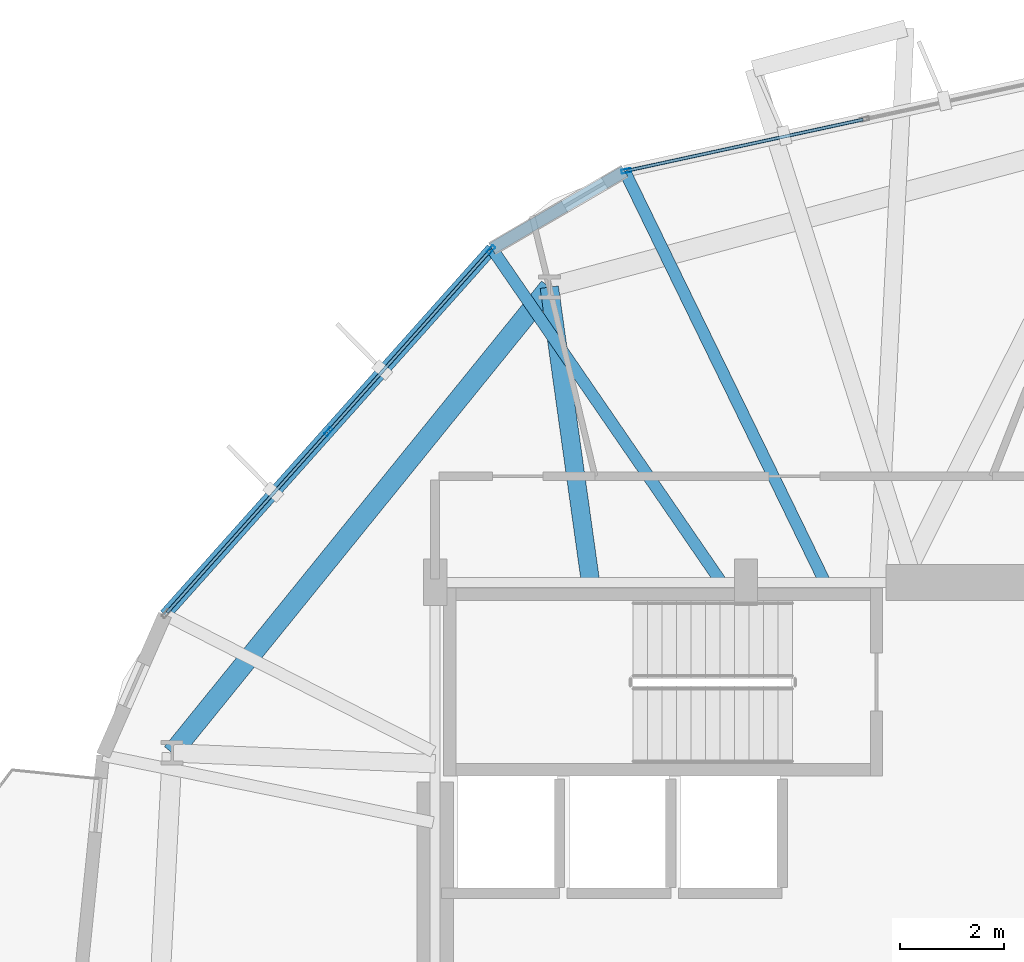
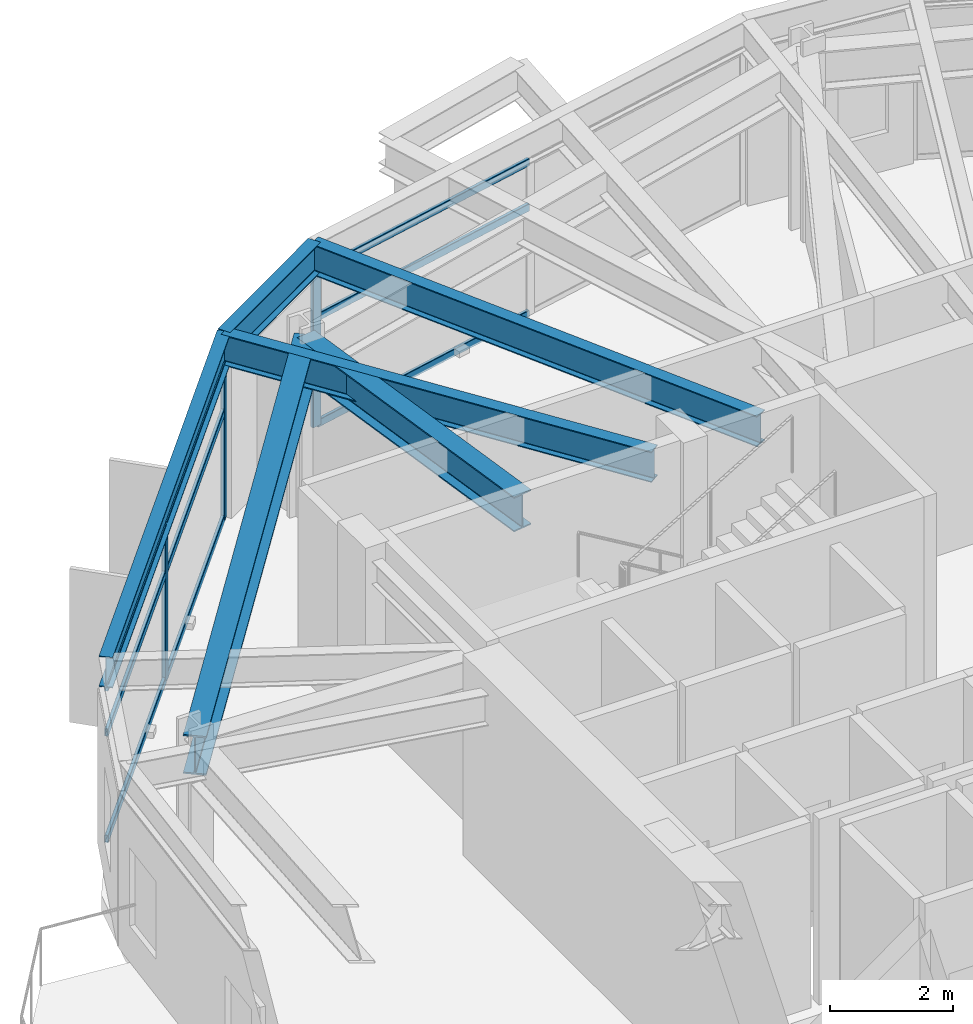
# One storey, part 11 of 22: 12 members, 6 beams, 2 elements without a shape of their own.
"""IFC4 building model written with IfcOpenShell, lengths in metres."""

from ifc_helpers import new_model, si_unit, direction, frame, origin, origin_2d, place, context, subcontext, project, spatial, hollow_rectangle, i_section, extrude, material, layer, layer_set, material_profile, profile_set, type_object, element, aggregate, save


model = new_model("IFC4")

# Units and contexts
model_context = context("Model", 3, precision=1e-05, world=origin(), true_north=direction((0.0, 1.0)))
body_context = subcontext(model_context, "Body", "Model", "MODEL_VIEW")
ifc_project = project(units=[si_unit("LENGTHUNIT", "METRE"), si_unit("AREAUNIT", "SQUARE_METRE"), si_unit("VOLUMEUNIT", "CUBIC_METRE"), si_unit("PLANEANGLEUNIT", "RADIAN"), si_unit("MASSUNIT", "GRAM", prefix="KILO")], contexts=[model_context])

# Site, building, storey
site_placement = place(None, origin())
site = spatial("IfcSite", under=ifc_project, at=site_placement, CompositionType="ELEMENT")
building_placement = place(site_placement, origin())
building = spatial("IfcBuilding", under=site, at=building_placement, Name="Soratama Intermodal Tower", CompositionType="ELEMENT")
storey_placement = place(building_placement, frame((0.0, 0.0, 74.60009765625)))
storey = spatial("IfcBuildingStorey", under=building, at=storey_placement, Name="L17", CompositionType="ELEMENT", Elevation=74.60009765625)

# Beams
ifc_material_1 = material(Name="Structural steel ASTM A992 Grade 50", Category="steel")
ifc_material_profile_1 = material_profile(ifc_material_1, i_section(OverallWidth=0.35498046875, OverallDepth=0.695068359375, WebThickness=0.015380859375, FlangeThickness=0.02490234375, FilletRadius=0.01611328125, at=origin_2d()), Name="W27X146")
ifc_profile_set_1 = profile_set([ifc_material_profile_1], Name="Structural steel ASTM A992 Grade 50")
beam_type_1 = type_object("IfcBeamType", Name="BM-RING-W27X146", PredefinedType="BEAM", material=ifc_profile_set_1)
beam_1_placement = place(storey_placement, frame((35.60009765625, 35.0, 3.352294921875), z_axis=(-0.138332473065, 0.990385847484, 0.0), x_axis=(-0.990385847484, -0.138332473065, 0.0)))
element("IfcBeam", 1, at=beam_1_placement, inside=storey, type_object=beam_type_1, Name="BM-L17-RAD-04", PredefinedType="BEAM", context=body_context, shape_type="SweptSolid", body=[
    extrude(i_section(OverallWidth=0.35498046875, OverallDepth=0.695068359375, WebThickness=0.015380859375, FlangeThickness=0.02490234375, FilletRadius=0.01611328125, at=origin_2d()), origin(), (0.0, 0.0, 1.0), 5.75537109375),
])
ifc_material_2 = material(Name="Structural steel ASTM A992 Grade 50", Category="steel")
ifc_material_profile_2 = material_profile(ifc_material_2, i_section(OverallWidth=0.382080078125, OverallDepth=0.779052734375, WebThickness=0.01806640625, FlangeThickness=0.030029296875, FilletRadius=0.01806640625, at=origin_2d()), Name="W30X191")
ifc_profile_set_2 = profile_set([ifc_material_profile_2], Name="Structural steel ASTM A992 Grade 50")
beam_type_2 = type_object("IfcBeamType", Name="BM-RING-W30X191", PredefinedType="BEAM", material=ifc_profile_set_2)
beam_2_placement = place(storey_placement, frame((34.803955078125, 40.699951171875, 3.310302734375), z_axis=(-0.629334198857, -0.777134779912, 0.0), x_axis=(0.777134779912, -0.629334198857, 0.0)))
element("IfcBeam", 2, at=beam_2_placement, inside=storey, type_object=beam_type_2, Name="BM-L17-RING-04", PredefinedType="BEAM", context=body_context, shape_type="SweptSolid", body=[
    extrude(i_section(OverallWidth=0.382080078125, OverallDepth=0.779052734375, WebThickness=0.01806640625, FlangeThickness=0.030029296875, FilletRadius=0.01806640625, at=origin_2d()), origin(), (0.0, 0.0, 1.0), 11.5693359375),
])
ifc_material_3 = material(Name="Structural steel ASTM A992 Grade 50", Category="steel")
ifc_material_profile_3 = material_profile(ifc_material_3, i_section(OverallWidth=0.22900390625, OverallDepth=0.612060546875, WebThickness=0.011962890625, FlangeThickness=0.01953125, FilletRadius=0.012939453125, at=origin_2d()), Name="W24X84")
ifc_profile_set_3 = profile_set([ifc_material_profile_3], Name="Structural steel ASTM A992 Grade 50")
beam_type_3 = type_object("IfcBeamType", Name="BM-SPN-W24X84", PredefinedType="SPANDREL", material=ifc_profile_set_3)
beam_3_placement = place(storey_placement, frame((36.260009765625, 42.93798828125, 3.393798828125), z_axis=(-0.863951971713, -0.503574215556, 0.0), x_axis=(0.503574215556, -0.863951971713, 0.0)))
element("IfcBeam", 3, at=beam_3_placement, inside=storey, type_object=beam_type_3, Name="BS-L17-CRN03", PredefinedType="SPANDREL", context=body_context, shape_type="SweptSolid", body=[
    extrude(i_section(OverallWidth=0.22900390625, OverallDepth=0.612060546875, WebThickness=0.011962890625, FlangeThickness=0.01953125, FilletRadius=0.012939453125, at=origin_2d()), origin(), (0.0, 0.0, 1.0), 2.966552734375),
])
beam_4_placement = place(storey_placement, frame((33.697021484375, 41.444091796875, 3.393798828125), z_axis=(-0.666034710747, -0.745920749195, 0.0), x_axis=(0.745920749195, -0.666034710747, 0.0)))
element("IfcBeam", 4, at=beam_4_placement, inside=storey, type_object=beam_type_3, Name="BS-L17-F04", PredefinedType="SPANDREL", context=body_context, shape_type="SweptSolid", body=[
    extrude(i_section(OverallWidth=0.22900390625, OverallDepth=0.612060546875, WebThickness=0.011962890625, FlangeThickness=0.01953125, FilletRadius=0.012939453125, at=origin_2d()), origin(), (0.0, 0.0, 1.0), 9.47705078125),
])
ifc_material_4 = material(Name="Structural steel ASTM A992 Grade 50", Category="steel")
ifc_material_profile_4 = material_profile(ifc_material_4, i_section(OverallWidth=0.22900390625, OverallDepth=0.612060546875, WebThickness=0.011962890625, FlangeThickness=0.01953125, FilletRadius=0.012939453125, at=origin_2d()), Name="W24X84")
ifc_profile_set_4 = profile_set([ifc_material_profile_4], Name="Structural steel ASTM A992 Grade 50")
beam_type_4 = type_object("IfcBeamType", Name="BM-TIE-W24X84", PredefinedType="BEAM", material=ifc_profile_set_4)
beam_5_placement = place(storey_placement, frame((40.110107421875, 35.035888671875, 3.393798828125), z_axis=(-0.438002229833, 0.898973885417, 0.0), x_axis=(-0.898973885417, -0.438002229833, 0.0)))
element("IfcBeam", 5, at=beam_5_placement, inside=storey, type_object=beam_type_4, Name="BM-L17-TIE1-03", PredefinedType="BEAM", context=body_context, shape_type="SweptSolid", body=[
    extrude(i_section(OverallWidth=0.22900390625, OverallDepth=0.612060546875, WebThickness=0.011962890625, FlangeThickness=0.01953125, FilletRadius=0.012939453125, at=origin_2d()), origin(), (0.0, 0.0, 1.0), 8.7900390625),
])
beam_6_placement = place(storey_placement, frame((38.10400390625, 35.032958984375, 3.393798828125), z_axis=(-0.566470220171, 0.824082210498, 0.0), x_axis=(-0.824082210498, -0.566470220171, 0.0)))
element("IfcBeam", 6, at=beam_6_placement, inside=storey, type_object=beam_type_4, Name="BM-L17-TIE0-04", PredefinedType="BEAM", context=body_context, shape_type="SweptSolid", body=[
    extrude(i_section(OverallWidth=0.22900390625, OverallDepth=0.612060546875, WebThickness=0.011962890625, FlangeThickness=0.01953125, FilletRadius=0.012939453125, at=origin_2d()), origin(), (0.0, 0.0, 1.0), 7.77978515625),
])

# Curtain wall, member
ifc_material_5 = material(Name="Double-glazed aluminium curtain wall", Category="aluminium")
ifc_layer = layer(ifc_material_5, 0.159912109375)
ifc_layer_set = layer_set([ifc_layer], Name="Double-glazed aluminium curtain wall")
curtain_wall_type = type_object("IfcCurtainWallType", Name="CW-SYS-2", PredefinedType="NOTDEFINED", material=ifc_layer_set)
curtain_wall_1_placement = place(storey_placement, origin())
curtain_wall_1 = element("IfcCurtainWall", 7, at=curtain_wall_1_placement, inside=storey, type_object=curtain_wall_type, Name="L17 Faceted Curtain Wall F03", PredefinedType="NOTDEFINED")
ifc_material_6 = material(Name="Anodised aluminium AA 6063-T6", Category="aluminium")
ifc_material_profile_5 = material_profile(ifc_material_6, hollow_rectangle(XDim=0.074951171875, YDim=0.179931640625, WallThickness=0.006103515625, InnerFilletRadius=0.006103515625, OuterFilletRadius=0.011962890625, at=origin_2d()), Name="CWM180X75X6")
ifc_profile_set_5 = profile_set([ifc_material_profile_5], Name="Anodised aluminium AA 6063-T6")
member_type_1 = type_object("IfcMemberType", Name="MT-CWM-2", PredefinedType="MULLION", material=ifc_profile_set_5)
member_1_placement = place(storey_placement, frame((36.2890625, 42.94482421875, 0.0), z_axis=(0.0, 0.0, 1.0), x_axis=(0.211999431382, -0.977269789308, 0.0)))
member_1 = element("IfcMember", 8, at=member_1_placement, type_object=member_type_1, Name="CW-2 mullion 3", PredefinedType="MULLION", context=body_context, shape_type="SweptSolid", body=[
    extrude(hollow_rectangle(XDim=0.074951171875, YDim=0.179931640625, WallThickness=0.006103515625, InnerFilletRadius=0.006103515625, OuterFilletRadius=0.011962890625, at=origin_2d()), origin(), (0.0, 0.0, 1.0), 3.078857421875),
])

# Curtain wall, members
curtain_wall_2_placement = place(storey_placement, origin())
curtain_wall_2 = element("IfcCurtainWall", 9, at=curtain_wall_2_placement, inside=storey, type_object=curtain_wall_type, Name="L17 Faceted Curtain Wall F04", PredefinedType="NOTDEFINED")
member_2_placement = place(storey_placement, frame((33.677001953125, 41.421875, 0.0), z_axis=(0.0, 0.0, 1.0), x_axis=(0.745936912726, -0.666016608076, 0.0)))
member_2 = element("IfcMember", 10, at=member_2_placement, type_object=member_type_1, Name="CW-2 mullion 1", PredefinedType="MULLION", context=body_context, shape_type="SweptSolid", body=[
    extrude(hollow_rectangle(XDim=0.074951171875, YDim=0.179931640625, WallThickness=0.006103515625, InnerFilletRadius=0.006103515625, OuterFilletRadius=0.011962890625, at=origin_2d()), origin(), (0.0, 0.0, 1.0), 3.078857421875),
])
member_3_placement = place(storey_placement, frame((30.541015625, 37.90966796875, 0.0), z_axis=(0.0, 0.0, 1.0), x_axis=(0.745936912726, -0.666016608076, 0.0)))
member_3 = element("IfcMember", 11, at=member_3_placement, type_object=member_type_1, Name="CW-2 mullion 2", PredefinedType="MULLION", context=body_context, shape_type="SweptSolid", body=[
    extrude(hollow_rectangle(XDim=0.074951171875, YDim=0.179931640625, WallThickness=0.006103515625, InnerFilletRadius=0.006103515625, OuterFilletRadius=0.011962890625, at=origin_2d()), origin(), (0.0, 0.0, 1.0), 3.078857421875),
])

# Member
ifc_material_7 = material(Name="Anodised aluminium AA 6063-T6", Category="aluminium")
ifc_material_profile_6 = material_profile(ifc_material_7, hollow_rectangle(XDim=0.06494140625, YDim=0.14990234375, WallThickness=0.0048828125, InnerFilletRadius=0.0048828125, OuterFilletRadius=0.010009765625, at=origin_2d()), Name="CWT150X65X5")
ifc_profile_set_6 = profile_set([ifc_material_profile_6], Name="Anodised aluminium AA 6063-T6")
member_type_2 = type_object("IfcMemberType", Name="TT-CWT-1", PredefinedType="USERDEFINED", material=ifc_profile_set_6)
member_4_placement = place(storey_placement, frame((40.861328125, 43.9365234375, 0.02978515625), z_axis=(-0.977276742538, -0.211967376015, 0.0), x_axis=(0.211967376015, -0.977276742538, 0.0)))
member_4 = element("IfcMember", 12, at=member_4_placement, type_object=member_type_2, Name="CW-2 transom 2.1", ObjectType="TRANSOM", PredefinedType="USERDEFINED", context=body_context, shape_type="SweptSolid", body=[
    extrude(hollow_rectangle(XDim=0.06494140625, YDim=0.14990234375, WallThickness=0.0048828125, InnerFilletRadius=0.0048828125, OuterFilletRadius=0.010009765625, at=origin_2d()), origin(), (0.0, 0.0, 1.0), 4.648681640625),
])

member_5_placement = place(storey_placement, frame((40.861328125, 43.9365234375, 2.14990234375), z_axis=(-0.977276742538, -0.211967376015, 0.0), x_axis=(0.211967376015, -0.977276742538, 0.0)))
member_5 = element("IfcMember", 13, at=member_5_placement, type_object=member_type_2, Name="CW-2 transom 2.2", ObjectType="TRANSOM", PredefinedType="USERDEFINED", context=body_context, shape_type="SweptSolid", body=[
    extrude(hollow_rectangle(XDim=0.06494140625, YDim=0.14990234375, WallThickness=0.0048828125, InnerFilletRadius=0.0048828125, OuterFilletRadius=0.010009765625, at=origin_2d()), origin(), (0.0, 0.0, 1.0), 4.648681640625),
])

member_6_placement = place(storey_placement, frame((40.861328125, 43.9365234375, 3.048828125), z_axis=(-0.977276742538, -0.211967376015, 0.0), x_axis=(0.211967376015, -0.977276742538, 0.0)))
member_6 = element("IfcMember", 14, at=member_6_placement, type_object=member_type_2, Name="CW-2 transom 2.3", ObjectType="TRANSOM", PredefinedType="USERDEFINED", context=body_context, shape_type="SweptSolid", body=[
    extrude(hollow_rectangle(XDim=0.06494140625, YDim=0.14990234375, WallThickness=0.0048828125, InnerFilletRadius=0.0048828125, OuterFilletRadius=0.010009765625, at=origin_2d()), origin(), (0.0, 0.0, 1.0), 4.648681640625),
])

aggregate(curtain_wall_1, [member_1, member_4, member_5, member_6])

member_7_placement = place(storey_placement, frame((33.656982421875, 41.399658203125, 0.02978515625), z_axis=(-0.666008463417, -0.745944184679, 0.0), x_axis=(0.745944184679, -0.666008463417, 0.0)))
member_7 = element("IfcMember", 15, at=member_7_placement, type_object=member_type_2, Name="CW-2 transom 1.1", ObjectType="TRANSOM", PredefinedType="USERDEFINED", context=body_context, shape_type="SweptSolid", body=[
    extrude(hollow_rectangle(XDim=0.06494140625, YDim=0.14990234375, WallThickness=0.0048828125, InnerFilletRadius=0.0048828125, OuterFilletRadius=0.010009765625, at=origin_2d()), origin(), (0.0, 0.0, 1.0), 4.6484375),
])

member_8_placement = place(storey_placement, frame((33.656982421875, 41.399658203125, 2.14990234375), z_axis=(-0.666008463417, -0.745944184679, 0.0), x_axis=(0.745944184679, -0.666008463417, 0.0)))
member_8 = element("IfcMember", 16, at=member_8_placement, type_object=member_type_2, Name="CW-2 transom 1.2", ObjectType="TRANSOM", PredefinedType="USERDEFINED", context=body_context, shape_type="SweptSolid", body=[
    extrude(hollow_rectangle(XDim=0.06494140625, YDim=0.14990234375, WallThickness=0.0048828125, InnerFilletRadius=0.0048828125, OuterFilletRadius=0.010009765625, at=origin_2d()), origin(), (0.0, 0.0, 1.0), 4.6484375),
])

member_9_placement = place(storey_placement, frame((33.656982421875, 41.399658203125, 3.048828125), z_axis=(-0.666008463417, -0.745944184679, 0.0), x_axis=(0.745944184679, -0.666008463417, 0.0)))
member_9 = element("IfcMember", 17, at=member_9_placement, type_object=member_type_2, Name="CW-2 transom 1.3", ObjectType="TRANSOM", PredefinedType="USERDEFINED", context=body_context, shape_type="SweptSolid", body=[
    extrude(hollow_rectangle(XDim=0.06494140625, YDim=0.14990234375, WallThickness=0.0048828125, InnerFilletRadius=0.0048828125, OuterFilletRadius=0.010009765625, at=origin_2d()), origin(), (0.0, 0.0, 1.0), 4.6484375),
])

member_10_placement = place(storey_placement, frame((30.52099609375, 37.88720703125, 0.02978515625), z_axis=(-0.66603455633, -0.745920887075, 0.0), x_axis=(0.745920887075, -0.66603455633, 0.0)))
member_10 = element("IfcMember", 18, at=member_10_placement, type_object=member_type_2, Name="CW-2 transom 2.1", ObjectType="TRANSOM", PredefinedType="USERDEFINED", context=body_context, shape_type="SweptSolid", body=[
    extrude(hollow_rectangle(XDim=0.06494140625, YDim=0.14990234375, WallThickness=0.0048828125, InnerFilletRadius=0.0048828125, OuterFilletRadius=0.010009765625, at=origin_2d()), origin(), (0.0, 0.0, 1.0), 4.6484375),
])

member_11_placement = place(storey_placement, frame((30.52099609375, 37.88720703125, 2.14990234375), z_axis=(-0.66603455633, -0.745920887075, 0.0), x_axis=(0.745920887075, -0.66603455633, 0.0)))
member_11 = element("IfcMember", 19, at=member_11_placement, type_object=member_type_2, Name="CW-2 transom 2.2", ObjectType="TRANSOM", PredefinedType="USERDEFINED", context=body_context, shape_type="SweptSolid", body=[
    extrude(hollow_rectangle(XDim=0.06494140625, YDim=0.14990234375, WallThickness=0.0048828125, InnerFilletRadius=0.0048828125, OuterFilletRadius=0.010009765625, at=origin_2d()), origin(), (0.0, 0.0, 1.0), 4.6484375),
])

member_12_placement = place(storey_placement, frame((30.52099609375, 37.88720703125, 3.048828125), z_axis=(-0.66603455633, -0.745920887075, 0.0), x_axis=(0.745920887075, -0.66603455633, 0.0)))
member_12 = element("IfcMember", 20, at=member_12_placement, type_object=member_type_2, Name="CW-2 transom 2.3", ObjectType="TRANSOM", PredefinedType="USERDEFINED", context=body_context, shape_type="SweptSolid", body=[
    extrude(hollow_rectangle(XDim=0.06494140625, YDim=0.14990234375, WallThickness=0.0048828125, InnerFilletRadius=0.0048828125, OuterFilletRadius=0.010009765625, at=origin_2d()), origin(), (0.0, 0.0, 1.0), 4.6484375),
])

aggregate(curtain_wall_2, [member_2, member_3, member_7, member_8, member_9, member_10, member_11, member_12])

save(model, "model.ifc")
